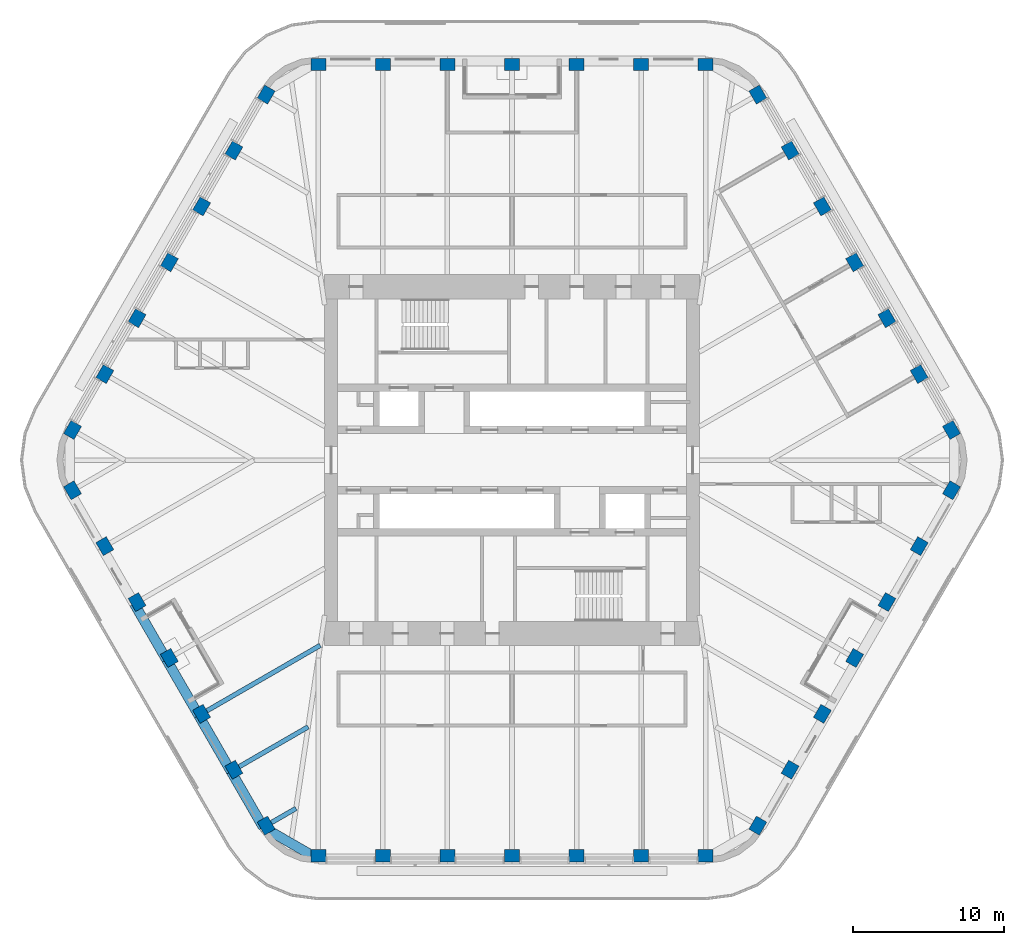
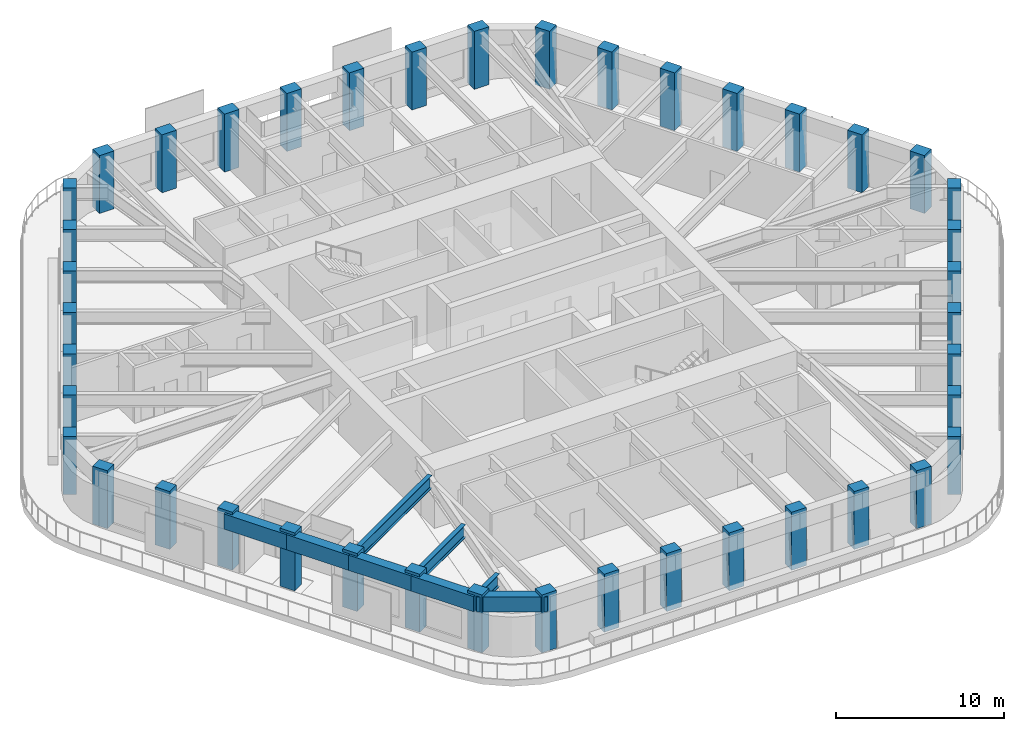
# One storey, part 1 of 19: 42 columns, 8 beams.
"""IFC4 building model written with IfcOpenShell, lengths in metres."""

from ifc_helpers import new_model, si_unit, direction, frame, origin, origin_2d, place, context, subcontext, project, spatial, rectangle, i_section, extrude, material, material_profile, profile_set, type_object, element, save


model = new_model("IFC4")

# Units and contexts
model_context = context("Model", 3, precision=1e-05, world=origin(), true_north=direction((0.0, 1.0)))
body_context = subcontext(model_context, "Body", "Model", "MODEL_VIEW")
ifc_project = project(units=[si_unit("LENGTHUNIT", "METRE"), si_unit("AREAUNIT", "SQUARE_METRE"), si_unit("VOLUMEUNIT", "CUBIC_METRE"), si_unit("PLANEANGLEUNIT", "RADIAN"), si_unit("MASSUNIT", "GRAM", prefix="KILO")], contexts=[model_context])

# Site, building, storey
site_placement = place(None, origin())
site = spatial("IfcSite", under=ifc_project, at=site_placement, CompositionType="ELEMENT")
building_placement = place(site_placement, origin())
building = spatial("IfcBuilding", under=site, at=building_placement, Name="Tarfa Lantern Tower", CompositionType="ELEMENT")
storey_placement = place(building_placement, frame((0.0, 0.0, 349.300048828125)))
storey = spatial("IfcBuildingStorey", under=building, at=storey_placement, Name="L79", CompositionType="ELEMENT", Elevation=349.300048828125)

# Columns
ifc_material_1 = material(Name="Concrete C80/95", Category="concrete")
ifc_material_profile_1 = material_profile(ifc_material_1, rectangle(XDim=1.0, YDim=0.800048828125, at=origin_2d()), Name="RC 1000x800")
ifc_profile_set_1 = profile_set([ifc_material_profile_1], Name="Concrete C80/95")
column_type = type_object("IfcColumnType", Name="TC14 RC 1000x800", PredefinedType="COLUMN", material=ifc_profile_set_1)
for number, where, z_axis, x_axis, name in (
    (1, (29.15625, 2.0, 0.0), (0.0, 0.0, 1.0), (-0.5, 0.866025403784, 0.0), "Tube column NE0"),
    (2, (27.01513671875, 5.708251953125, 0.0), (0.0, 0.0, 1.0), (-0.5, 0.866025403784, 0.0), "Tube column NE1"),
    (3, (24.874267578125, 9.416748046875, 0.0), (0.0, 0.0, 1.0), (-0.5, 0.866025403784, 0.0), "Tube column NE2"),
    (4, (22.733154296875, 13.125, 0.0), (0.0, 0.0, 1.0), (-0.5, 0.866025403784, 0.0), "Tube column NE3"),
    (5, (20.592041015625, 16.833251953125, 0.0), (0.0, 0.0, 1.0), (-0.5, 0.866025403784, 0.0), "Tube column NE4"),
    (6, (18.451171875, 20.541748046875, 0.0), (0.0, 0.0, 1.0), (-0.5, 0.866025403784, 0.0), "Tube column NE5"),
    (7, (16.31005859375, 24.25, 0.0), (0.0, 0.0, 1.0), (-0.5, 0.866025403784, 0.0), "Tube column NE6"),
    (8, (12.845947265625, 26.25, 0.0), (0.0, 0.0, 1.0), (-1.0, 0.0, 0.0), "Tube column N0"),
    (9, (8.56396484375, 26.25, 0.0), (0.0, 0.0, 1.0), (-1.0, 0.0, 0.0), "Tube column N1"),
    (10, (4.281982421875, 26.25, 0.0), (0.0, 0.0, 1.0), (-1.0, 0.0, 0.0), "Tube column N2"),
    (11, (0.0, 26.25, 0.0), (0.0, 0.0, 1.0), (-1.0, 0.0, 0.0), "Tube column N3"),
    (12, (-4.281982421875, 26.25, 0.0), (0.0, 0.0, 1.0), (-1.0, 0.0, 0.0), "Tube column N4"),
    (13, (-8.56396484375, 26.25, 0.0), (0.0, 0.0, 1.0), (-1.0, 0.0, 0.0), "Tube column N5"),
    (14, (-12.845947265625, 26.25, 0.0), (0.0, 0.0, 1.0), (-1.0, 0.0, 0.0), "Tube column N6"),
    (15, (-16.31005859375, 24.25, 0.0), (0.0, 0.0, 1.0), (-0.5, -0.866025403784, 0.0), "Tube column NW0"),
    (16, (-18.451171875, 20.541748046875, 0.0), (0.0, 0.0, 1.0), (-0.5, -0.866025403784, 0.0), "Tube column NW1"),
    (17, (-20.592041015625, 16.833251953125, 0.0), (0.0, 0.0, 1.0), (-0.5, -0.866025403784, 0.0), "Tube column NW2"),
    (18, (-22.733154296875, 13.125, 0.0), (0.0, 0.0, 1.0), (-0.5, -0.866025403784, 0.0), "Tube column NW3"),
    (19, (-24.874267578125, 9.416748046875, 0.0), (0.0, 0.0, 1.0), (-0.5, -0.866025403784, 0.0), "Tube column NW4"),
    (20, (-27.01513671875, 5.708251953125, 0.0), (0.0, 0.0, 1.0), (-0.5, -0.866025403784, 0.0), "Tube column NW5"),
    (21, (-29.15625, 2.0, 0.0), (0.0, 0.0, 1.0), (-0.5, -0.866025403784, 0.0), "Tube column NW6"),
    (22, (-29.15625, -2.0, 0.0), (0.0, 0.0, 1.0), (0.5, -0.866025403784, 0.0), "Tube column SW0"),
    (23, (-27.01513671875, -5.708251953125, 0.0), (0.0, 0.0, 1.0), (0.5, -0.866025403784, 0.0), "Tube column SW1"),
    (24, (-24.874267578125, -9.416748046875, 0.0), (0.0, 0.0, 1.0), (0.5, -0.866025403784, 0.0), "Tube column SW2"),
    (25, (-22.733154296875, -13.125, 0.0), (0.0, 0.0, 1.0), (0.5, -0.866025403784, 0.0), "Tube column SW3"),
    (26, (-20.592041015625, -16.833251953125, 0.0), (0.0, 0.0, 1.0), (0.5, -0.866025403784, 0.0), "Tube column SW4"),
    (27, (-18.451171875, -20.541748046875, 0.0), (0.0, 0.0, 1.0), (0.5, -0.866025403784, 0.0), "Tube column SW5"),
    (28, (-16.31005859375, -24.25, 0.0), (0.0, 0.0, 1.0), (0.5, -0.866025403784, 0.0), "Tube column SW6"),
    (29, (-12.845947265625, -26.25, 0.0), (0.0, 0.0, 1.0), (1.0, 0.0, 0.0), "Tube column S0"),
    (30, (-8.56396484375, -26.25, 0.0), (0.0, 0.0, 1.0), (1.0, 0.0, 0.0), "Tube column S1"),
    (31, (-4.281982421875, -26.25, 0.0), (0.0, 0.0, 1.0), (1.0, 0.0, 0.0), "Tube column S2"),
    (32, (0.0, -26.25, 0.0), (0.0, 0.0, 1.0), (1.0, 0.0, 0.0), "Tube column S3"),
    (33, (4.281982421875, -26.25, 0.0), (0.0, 0.0, 1.0), (1.0, 0.0, 0.0), "Tube column S4"),
    (34, (8.56396484375, -26.25, 0.0), (0.0, 0.0, 1.0), (1.0, 0.0, 0.0), "Tube column S5"),
    (35, (12.845947265625, -26.25, 0.0), (0.0, 0.0, 1.0), (1.0, 0.0, 0.0), "Tube column S6"),
    (36, (16.31005859375, -24.25, 0.0), (0.0, 0.0, 1.0), (0.5, 0.866025403784, 0.0), "Tube column SE0"),
    (37, (18.451171875, -20.541748046875, 0.0), (0.0, 0.0, 1.0), (0.5, 0.866025403784, 0.0), "Tube column SE1"),
    (38, (20.592041015625, -16.833251953125, 0.0), (0.0, 0.0, 1.0), (0.5, 0.866025403784, 0.0), "Tube column SE2"),
    (39, (22.733154296875, -13.125, 0.0), (0.0, 0.0, 1.0), (0.5, 0.866025403784, 0.0), "Tube column SE3"),
    (40, (24.874267578125, -9.416748046875, 0.0), (0.0, 0.0, 1.0), (0.5, 0.866025403784, 0.0), "Tube column SE4"),
    (41, (27.01513671875, -5.708251953125, 0.0), (0.0, 0.0, 1.0), (0.5, 0.866025403784, 0.0), "Tube column SE5"),
    (42, (29.15625, -2.0, 0.0), (0.0, 0.0, 1.0), (0.5, 0.866025403784, 0.0), "Tube column SE6"),
):
    element("IfcColumn", number, at=place(storey_placement, frame(where, z_axis=z_axis, x_axis=x_axis)), inside=storey, type_object=column_type, Name=name, PredefinedType="COLUMN", context=body_context, shape_type="SweptSolid", body=[
        extrude(rectangle(XDim=1.0, YDim=0.800048828125, at=origin_2d()), origin(), (0.0, 0.0, 1.0), 4.199951171875),
    ])

# Beams
ifc_material_profile_2 = material_profile(ifc_material_1, rectangle(XDim=0.64990234375, YDim=1.10009765625, at=origin_2d()), Name="RC 650x1100")
ifc_profile_set_2 = profile_set([ifc_material_profile_2], Name="Concrete C80/95")
beam_type_1 = type_object("IfcBeamType", Name="EB4 RC 650x1100", PredefinedType="SPANDREL", material=ifc_profile_set_2)
beam_1_placement = place(storey_placement, frame((-25.064697265625, -9.526611328125, 3.449951171875), z_axis=(0.500002112793, -0.866024183959, 0.0), x_axis=(0.866024183959, 0.500002112793, 0.0)))
element("IfcBeam", 43, at=beam_1_placement, inside=storey, type_object=beam_type_1, Name="Edge beam SW2", PredefinedType="SPANDREL", context=body_context, shape_type="SweptSolid", body=[
    extrude(rectangle(XDim=0.64990234375, YDim=1.10009765625, at=origin_2d()), origin(), (0.0, 0.0, 1.0), 4.2822265625),
])
for number, where, z_axis, x_axis, name in (
    (44, (-22.923583984375, -13.235107421875, 3.449951171875), (0.499984039138, -0.866034618596, 0.0), (0.866034618596, 0.499984039138, 0.0), "Edge beam SW3"),
    (45, (-20.78271484375, -16.943359375, 3.449951171875), (0.500026801138, -0.866009929587, 0.0), (0.866009929587, 0.500026801138, 0.0), "Edge beam SW4"),
    (46, (-18.6416015625, -20.651611328125, 3.449951171875), (0.499959351497, -0.866048870937, 0.0), (0.866048870937, 0.499959351497, 0.0), "Edge beam SW5"),
):
    element("IfcBeam", number, at=place(storey_placement, frame(where, z_axis=z_axis, x_axis=x_axis)), inside=storey, type_object=beam_type_1, Name=name, PredefinedType="SPANDREL", context=body_context, shape_type="SweptSolid", body=[
        extrude(rectangle(XDim=0.64990234375, YDim=1.10009765625, at=origin_2d()), origin(), (0.0, 0.0, 1.0), 4.281982421875),
    ])
beam_2_placement = place(storey_placement, frame((-16.500732421875, -24.360107421875, 3.449951171875), z_axis=(0.866048788483, -0.499959494327, 0.0), x_axis=(0.499959494327, 0.866048788483, 0.0)))
element("IfcBeam", 47, at=beam_2_placement, inside=storey, type_object=beam_type_1, Name="Edge beam SW6", PredefinedType="SPANDREL", context=body_context, shape_type="SweptSolid", body=[
    extrude(rectangle(XDim=0.64990234375, YDim=1.10009765625, at=origin_2d()), origin(), (0.0, 0.0, 1.0), 4.219970703125),
])
ifc_material_2 = material(Name="Steel S460M", Category="steel")
ifc_material_profile_3 = material_profile(ifc_material_2, i_section(OverallWidth=0.305419921875, OverallDepth=0.91845703125, WebThickness=0.017333984375, FlangeThickness=0.02783203125, FilletRadius=0.01904296875, at=origin_2d()), Name="UB914x305x253")
ifc_profile_set_3 = profile_set([ifc_material_profile_3], Name="Steel S460M")
beam_type_2 = type_object("IfcBeamType", Name="UB914x305x253", PredefinedType="BEAM", material=ifc_profile_set_3)
beam_3_placement = place(storey_placement, frame((-20.78271484375, -16.943359375, 3.540771484375), z_axis=(0.866021806508, 0.500006230613, 0.0), x_axis=(-0.500006230613, 0.866021806508, 0.0)))
element("IfcBeam", 48, at=beam_3_placement, inside=storey, type_object=beam_type_2, Name="Floor beam SW4", PredefinedType="BEAM", context=body_context, shape_type="SweptSolid", body=[
    extrude(i_section(OverallWidth=0.305419921875, OverallDepth=0.91845703125, WebThickness=0.017333984375, FlangeThickness=0.02783203125, FilletRadius=0.01904296875, at=origin_2d()), origin(), (0.0, 0.0, 1.0), 9.30908203125),
])
beam_4_placement = place(storey_placement, frame((-18.6416015625, -20.651611328125, 3.540771484375), z_axis=(0.866024549157, 0.500001480256, 0.0), x_axis=(-0.500001480256, 0.866024549157, 0.0)))
element("IfcBeam", 49, at=beam_4_placement, inside=storey, type_object=beam_type_2, Name="Floor beam SW5", PredefinedType="BEAM", context=body_context, shape_type="SweptSolid", body=[
    extrude(i_section(OverallWidth=0.305419921875, OverallDepth=0.91845703125, WebThickness=0.017333984375, FlangeThickness=0.02783203125, FilletRadius=0.01904296875, at=origin_2d()), origin(), (0.0, 0.0, 1.0), 5.90771484375),
])
beam_5_placement = place(storey_placement, frame((-16.500732421875, -24.360107421875, 3.540771484375), z_axis=(0.865992557167, 0.500056887695, 0.0), x_axis=(-0.500056887695, 0.865992557167, 0.0)))
element("IfcBeam", 50, at=beam_5_placement, inside=storey, type_object=beam_type_2, Name="Floor beam SW6", PredefinedType="BEAM", context=body_context, shape_type="SweptSolid", body=[
    extrude(i_section(OverallWidth=0.305419921875, OverallDepth=0.91845703125, WebThickness=0.017333984375, FlangeThickness=0.02783203125, FilletRadius=0.01904296875, at=origin_2d()), origin(), (0.0, 0.0, 1.0), 2.506591796875),
])

save(model, "model.ifc")
